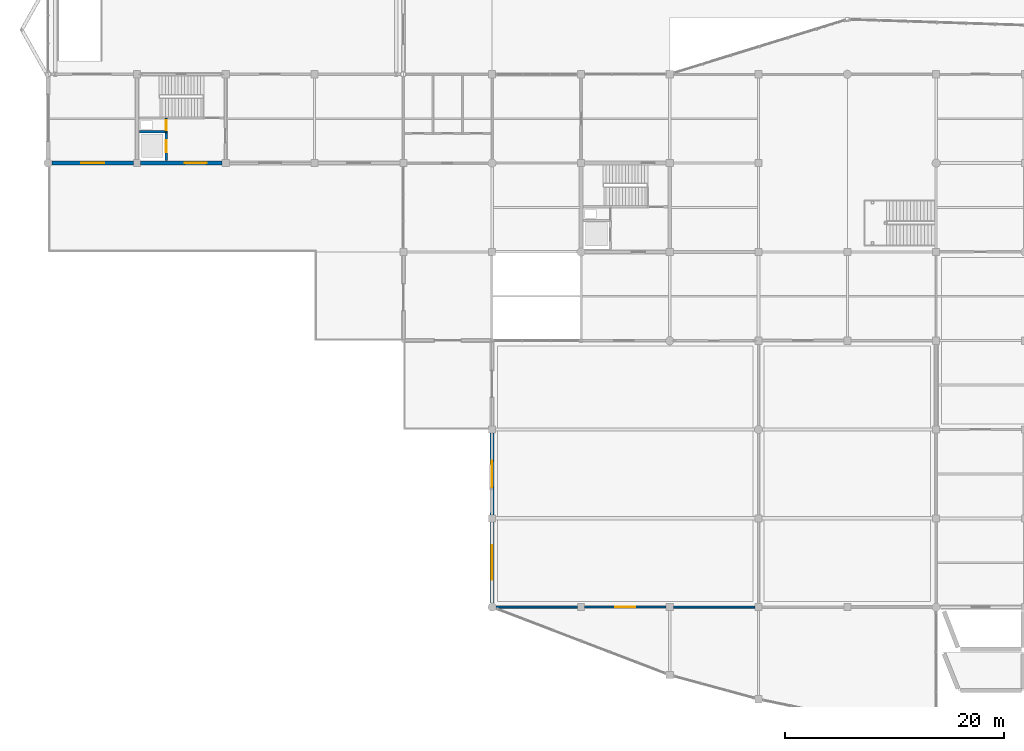
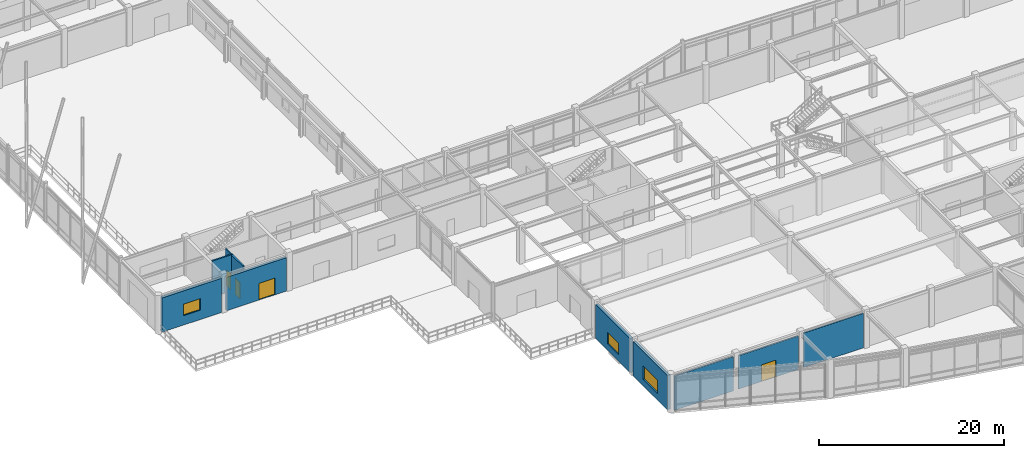
# One storey, part 60 of 99: 10 walls, 4 doors, 3 windows, 7 openings.
"""IFC4 building model written with IfcOpenShell, lengths in metres."""

from ifc_helpers import new_model, si_unit, direction, frame, frame_2d, origin, place, context, subcontext, project, spatial, rectangle, extrude, material, layer, layer_set, type_object, element, fill, save


model = new_model("IFC4")

# Units and contexts
model_context = context("Model", 3, precision=1e-05, world=origin(), true_north=direction((0.0, 1.0)))
body_context = subcontext(model_context, "Body", "Model", "MODEL_VIEW")
ifc_project = project(units=[si_unit("LENGTHUNIT", "METRE"), si_unit("AREAUNIT", "SQUARE_METRE"), si_unit("VOLUMEUNIT", "CUBIC_METRE"), si_unit("PLANEANGLEUNIT", "RADIAN"), si_unit("MASSUNIT", "GRAM", prefix="KILO")], contexts=[model_context])

# Site, building, storey
site_placement = place(None, origin())
site = spatial("IfcSite", under=ifc_project, at=site_placement, CompositionType="ELEMENT")
building_placement = place(site_placement, origin())
building = spatial("IfcBuilding", under=site, at=building_placement, Name="Vaudrelin Polytechnic", CompositionType="ELEMENT")
storey_placement = place(building_placement, origin())
storey = spatial("IfcBuildingStorey", under=building, at=storey_placement, Name="L00", CompositionType="ELEMENT", Elevation=0.0)

# Wall, opening, window
ifc_material_1 = material(Name="Insulated precast concrete sandwich panel 40 MPa", Category="concrete")
ifc_layer_1 = layer(ifc_material_1, 0.340087890625)
ifc_layer_set_1 = layer_set([ifc_layer_1], Name="Insulated precast concrete sandwich panel 40 MPa")
wall_type_1 = type_object("IfcWallType", Name="WAL-EW-IND340", PredefinedType="STANDARD", material=ifc_layer_set_1)
wall_1_placement = place(storey_placement, frame((0.373046875, 40.5, 0.0), z_axis=(0.0, 0.0, 1.0), x_axis=(1.0, 0.0, 0.0)))
wall_1 = element("IfcWall", 1, at=wall_1_placement, inside=storey, type_object=wall_type_1, Name="Exterior wall L00 S_V1_00", PredefinedType="STANDARD", context=body_context, shape_type="SweptSolid", body=[
    extrude(rectangle(XDim=7.404052734375, YDim=0.340087890625, at=frame_2d((3.7021484375, 0.0))), origin(), (0.0, 0.0, 1.0), 4.51611328125),
])
opening_1_placement = place(wall_1_placement, frame((2.652099609375, 0.0, 1.25)))
opening_1 = element("IfcOpeningElement", 2, at=opening_1_placement, cuts=wall_1, Name="Opening W-L00-S-V1-01", PredefinedType="OPENING", context=body_context, shape_type="SweptSolid", body=[
    extrude(rectangle(XDim=2.10009765625, YDim=1.5, at=frame_2d((1.050048828125, 0.75))), frame((0.0, 0.18017578125, 0.0), z_axis=(0.0, -1.0, 0.0), x_axis=(1.0, 0.0, 0.0)), (0.0, 0.0, 1.0), 0.360107421875),
])
ifc_material_2 = material(Name="Thermally broken aluminium frame with triple low-e glazing", Category="aluminium")
window_type_1 = type_object("IfcWindowType", Name="WIN-WN-05", PartitioningType="SINGLE_PANEL", PredefinedType="WINDOW", material=ifc_material_2)
window_1_placement = place(opening_1_placement, origin())
window_1 = element("IfcWindow", 3, at=window_1_placement, inside=storey, type_object=window_type_1, Name="Facade window L00-S_V1_00", OverallHeight=1.5, OverallWidth=2.10009765625, PartitioningType="SINGLE_PANEL", PredefinedType="WINDOW", context=body_context, shape_type="SweptSolid", body=[
    extrude(rectangle(XDim=2.10009765625, YDim=1.5, at=frame_2d((1.050048828125, 0.75))), frame((0.0, 0.030029296875, 0.0), z_axis=(0.0, -1.0, 0.0), x_axis=(1.0, 0.0, 0.0)), (0.0, 0.0, 1.0), 0.06005859375),
])
fill(opening_1, window_1)

# Wall, opening, door
wall_2_placement = place(storey_placement, frame((8.423095703125, 40.5, 0.0), z_axis=(0.0, 0.0, 1.0), x_axis=(1.0, 0.0, 0.0)))
wall_2 = element("IfcWall", 4, at=wall_2_placement, inside=storey, type_object=wall_type_1, Name="Exterior wall L00 S_V1_01", PredefinedType="STANDARD", context=body_context, shape_type="SweptSolid", body=[
    extrude(rectangle(XDim=7.453857421875, YDim=0.340087890625, at=frame_2d((3.72705078125, 0.0))), origin(), (0.0, 0.0, 1.0), 4.406982421875),
])
opening_2_placement = place(wall_2_placement, frame((6.027099609375, 0.0, 0.0), z_axis=(0.0, 0.0, 1.0), x_axis=(-1.0, 0.0, 0.0)))
opening_2 = element("IfcOpeningElement", 5, at=opening_2_placement, cuts=wall_2, Name="Opening ED-00-30", PredefinedType="OPENING", context=body_context, shape_type="SweptSolid", body=[
    extrude(rectangle(XDim=2.0, YDim=2.199951171875, at=frame_2d((1.0, 1.10009765625))), frame((0.0, 0.18017578125, 0.0), z_axis=(0.0, -1.0, 0.0), x_axis=(1.0, 0.0, 0.0)), (0.0, 0.0, 1.0), 0.360107421875),
])
ifc_material_3 = material(Name="Thermally broken anodised aluminium AA 6063-T6", Category="aluminium")
door_type_1 = type_object("IfcDoorType", Name="DOR-ED-02", OperationType="DOUBLE_SWING_LEFT", PredefinedType="DOOR", material=ifc_material_3)
door_1_placement = place(opening_2_placement, origin())
door_1 = element("IfcDoor", 6, at=door_1_placement, inside=storey, type_object=door_type_1, Name="Exterior exit door ED-00-30", OperationType="DOUBLE_SWING_LEFT", OverallHeight=2.199951171875, OverallWidth=2.0, PredefinedType="DOOR", context=body_context, shape_type="SweptSolid", body=[
    extrude(rectangle(XDim=2.0, YDim=2.199951171875, at=frame_2d((1.0, 1.10009765625))), frame((0.0, 0.02490234375, 0.0), z_axis=(0.0, -1.0, 0.0), x_axis=(1.0, 0.0, 0.0)), (0.0, 0.0, 1.0), 0.050048828125),
])
fill(opening_2, door_1)

# Wall, opening, window
ifc_material_4 = material(Name="Architectural ribbed precast concrete 40 MPa", Category="concrete")
ifc_layer_2 = layer(ifc_material_4, 0.3798828125)
ifc_layer_set_2 = layer_set([ifc_layer_2], Name="Architectural ribbed precast concrete 40 MPa")
wall_type_2 = type_object("IfcWallType", Name="WAL-EW-PREC380", PredefinedType="STANDARD", material=ifc_layer_set_2)
wall_3_placement = place(storey_placement, frame((40.5, 0.373046875, 0.0), z_axis=(0.0, 0.0, 1.0), x_axis=(0.0, 1.0, 0.0)))
wall_3 = element("IfcWall", 7, at=wall_3_placement, inside=storey, type_object=wall_type_2, Name="Exterior wall L00 W_V2_00", PredefinedType="STANDARD", context=body_context, shape_type="SweptSolid", body=[
    extrude(rectangle(XDim=7.404052734375, YDim=0.3798828125, at=frame_2d((3.7021484375, 0.0))), origin(), (0.0, 0.0, 1.0), 4.51611328125),
])
opening_3_placement = place(wall_3_placement, frame((2.126953125, 0.0, 0.85009765625)))
opening_3 = element("IfcOpeningElement", 8, at=opening_3_placement, cuts=wall_3, Name="Opening W-L00-W-V2-01", PredefinedType="OPENING", context=body_context, shape_type="SweptSolid", body=[
    extrude(rectangle(XDim=3.14990234375, YDim=1.75, at=frame_2d((1.574951171875, 0.875))), frame((0.0, 0.199951171875, 0.0), z_axis=(0.0, -1.0, 0.0), x_axis=(1.0, 0.0, 0.0)), (0.0, 0.0, 1.0), 0.39990234375),
])
window_type_2 = type_object("IfcWindowType", Name="WIN-WN-20", PartitioningType="SINGLE_PANEL", PredefinedType="WINDOW", material=ifc_material_2)
window_2_placement = place(opening_3_placement, origin())
window_2 = element("IfcWindow", 9, at=window_2_placement, inside=storey, type_object=window_type_2, Name="Facade window L00-W_V2_00", OverallHeight=1.75, OverallWidth=3.14990234375, PartitioningType="SINGLE_PANEL", PredefinedType="WINDOW", context=body_context, shape_type="SweptSolid", body=[
    extrude(rectangle(XDim=3.14990234375, YDim=1.75, at=frame_2d((1.574951171875, 0.875))), frame((0.0, 0.030029296875, 0.0), z_axis=(0.0, -1.0, 0.0), x_axis=(1.0, 0.0, 0.0)), (0.0, 0.0, 1.0), 0.06005859375),
])
fill(opening_3, window_2)

wall_4_placement = place(storey_placement, frame((40.5, 8.423095703125, 0.0), z_axis=(0.0, 0.0, 1.0), x_axis=(0.0, 1.0, 0.0)))
wall_4 = element("IfcWall", 10, at=wall_4_placement, inside=storey, type_object=wall_type_2, Name="Exterior wall L00 W_V2_01", PredefinedType="STANDARD", context=body_context, shape_type="SweptSolid", body=[
    extrude(rectangle(XDim=7.453857421875, YDim=0.3798828125, at=frame_2d((3.72705078125, 0.0))), origin(), (0.0, 0.0, 1.0), 4.5048828125),
])
opening_4_placement = place(wall_4_placement, frame((2.527099609375, 0.0, 0.85009765625)))
opening_4 = element("IfcOpeningElement", 11, at=opening_4_placement, cuts=wall_4, Name="Opening W-L00-W-V2-02", PredefinedType="OPENING", context=body_context, shape_type="SweptSolid", body=[
    extrude(rectangle(XDim=2.39990234375, YDim=1.550048828125, at=frame_2d((1.199951171875, 0.77490234375))), frame((0.0, 0.199951171875, 0.0), z_axis=(0.0, -1.0, 0.0), x_axis=(1.0, 0.0, 0.0)), (0.0, 0.0, 1.0), 0.39990234375),
])
window_type_3 = type_object("IfcWindowType", Name="WIN-WN-21", PartitioningType="SINGLE_PANEL", PredefinedType="WINDOW", material=ifc_material_2)
window_3_placement = place(opening_4_placement, origin())
window_3 = element("IfcWindow", 12, at=window_3_placement, inside=storey, type_object=window_type_3, Name="Facade window L00-W_V2_01", OverallHeight=1.550048828125, OverallWidth=2.39990234375, PartitioningType="SINGLE_PANEL", PredefinedType="WINDOW", context=body_context, shape_type="SweptSolid", body=[
    extrude(rectangle(XDim=2.39990234375, YDim=1.550048828125, at=frame_2d((1.199951171875, 0.77490234375))), frame((0.0, 0.030029296875, 0.0), z_axis=(0.0, -1.0, 0.0), x_axis=(1.0, 0.0, 0.0)), (0.0, 0.0, 1.0), 0.06005859375),
])
fill(opening_4, window_3)

# Wall
ifc_material_5 = material(Name="Acoustic double-stud gypsum & mineral-wool partition", Category="gypsum")
ifc_layer_3 = layer(ifc_material_5, 0.179931640625)
ifc_layer_set_3 = layer_set([ifc_layer_3], Name="Acoustic double-stud gypsum & mineral-wool partition")
wall_type_3 = type_object("IfcWallType", Name="WAL-PW-AC180", PredefinedType="PARTITIONING", material=ifc_layer_set_3)
wall_5_placement = place(storey_placement, frame((40.873046875, 0.0, 0.0), z_axis=(0.0, 0.0, 1.0), x_axis=(1.0, 0.0, 0.0)))
element("IfcWall", 13, at=wall_5_placement, inside=storey, type_object=wall_type_3, Name="Partition L00-008 S", PredefinedType="PARTITIONING", context=body_context, shape_type="SweptSolid", body=[
    extrude(rectangle(XDim=7.404052734375, YDim=0.179931640625, at=frame_2d((3.7021484375, 0.0))), origin(), (0.0, 0.0, 1.0), 4.51611328125),
])

# Wall, opening, door
wall_6_placement = place(storey_placement, frame((48.923095703125, 0.0, 0.0), z_axis=(0.0, 0.0, 1.0), x_axis=(1.0, 0.0, 0.0)))
wall_6 = element("IfcWall", 14, at=wall_6_placement, inside=storey, type_object=wall_type_3, Name="Partition L00-008 S", PredefinedType="PARTITIONING", context=body_context, shape_type="SweptSolid", body=[
    extrude(rectangle(XDim=7.453857421875, YDim=0.179931640625, at=frame_2d((3.72705078125, 0.0))), origin(), (0.0, 0.0, 1.0), 4.406982421875),
])
opening_5_placement = place(wall_6_placement, frame((2.826904296875, 0.0, 0.0)))
opening_5 = element("IfcOpeningElement", 15, at=opening_5_placement, cuts=wall_6, Name="Opening D-L00-596", PredefinedType="OPENING", context=body_context, shape_type="SweptSolid", body=[
    extrude(rectangle(XDim=1.800048828125, YDim=2.199951171875, at=frame_2d((0.89990234375, 1.10009765625))), frame((0.0, 0.10009765625, 0.0), z_axis=(0.0, -1.0, 0.0), x_axis=(1.0, 0.0, 0.0)), (0.0, 0.0, 1.0), 0.199951171875),
])
ifc_material_6 = material(Name="Pressed galvanised steel acoustic leaf", Category="steel")
door_type_2 = type_object("IfcDoorType", Name="DOR-ID-DBL1", OperationType="NOTDEFINED", PredefinedType="DOOR", material=ifc_material_6)
door_2_placement = place(opening_5_placement, origin())
door_2 = element("IfcDoor", 16, at=door_2_placement, inside=storey, type_object=door_type_2, Name="Auditorium stage prow door L00", OperationType="DOUBLE_SWING_LEFT", OverallHeight=2.199951171875, OverallWidth=1.800048828125, PredefinedType="DOOR", context=body_context, shape_type="SweptSolid", body=[
    extrude(rectangle(XDim=1.800048828125, YDim=2.199951171875, at=frame_2d((0.89990234375, 1.10009765625))), frame((0.0, 0.02490234375, 0.0), z_axis=(0.0, -1.0, 0.0), x_axis=(1.0, 0.0, 0.0)), (0.0, 0.0, 1.0), 0.050048828125),
])
fill(opening_5, door_2)

# Wall
wall_7_placement = place(storey_placement, frame((57.02294921875, 0.0, 0.0), z_axis=(0.0, 0.0, 1.0), x_axis=(1.0, 0.0, 0.0)))
element("IfcWall", 17, at=wall_7_placement, inside=storey, type_object=wall_type_3, Name="Partition L00-008 S", PredefinedType="PARTITIONING", context=body_context, shape_type="SweptSolid", body=[
    extrude(rectangle(XDim=7.4541015625, YDim=0.179931640625, at=frame_2d((3.72705078125, 0.0))), origin(), (0.0, 0.0, 1.0), 4.555908203125),
])

# Wall, opening, door
ifc_material_7 = material(Name="Fire-rated steel-stud gypsum compartment wall", Category="steel")
ifc_layer_4 = layer(ifc_material_7, 0.14990234375)
ifc_layer_set_4 = layer_set([ifc_layer_4], Name="Fire-rated steel-stud gypsum compartment wall")
wall_type_4 = type_object("IfcWallType", Name="WAL-PW-FIRE60", PredefinedType="PARTITIONING", material=ifc_layer_set_4)
wall_8_placement = place(storey_placement, frame((10.780029296875, 43.35009765625, 0.0), z_axis=(0.0, 0.0, 1.0), x_axis=(0.0, 1.0, 0.0)))
wall_8 = element("IfcWall", 18, at=wall_8_placement, inside=storey, type_object=wall_type_4, Name="Core C3 riser enclosure wall L00", PredefinedType="PARTITIONING", context=body_context, shape_type="SweptSolid", body=[
    extrude(rectangle(XDim=1.260009765625, YDim=0.14990234375, at=frame_2d((0.6298828125, 0.0))), origin(), (0.0, 0.0, 1.0), 4.822021484375),
])
opening_6_placement = place(wall_8_placement, frame((0.139892578125, 0.0, 0.0)))
opening_6 = element("IfcOpeningElement", 19, at=opening_6_placement, cuts=wall_8, Name="Opening D-L00-051", PredefinedType="OPENING", context=body_context, shape_type="SweptSolid", body=[
    extrude(rectangle(XDim=0.89990234375, YDim=2.14990234375, at=frame_2d((0.449951171875, 1.074951171875))), frame((0.0, 0.0849609375, 0.0), z_axis=(0.0, -1.0, 0.0), x_axis=(1.0, 0.0, 0.0)), (0.0, 0.0, 1.0), 0.169921875),
])
door_type_3 = type_object("IfcDoorType", Name="DOR-ID-RSR1", OperationType="NOTDEFINED", PredefinedType="DOOR", material=ifc_material_6)
door_3_placement = place(opening_6_placement, origin())
door_3 = element("IfcDoor", 20, at=door_3_placement, inside=storey, type_object=door_type_3, Name="Core C3 riser access door L00", OperationType="SINGLE_SWING_RIGHT", OverallHeight=2.14990234375, OverallWidth=0.89990234375, PredefinedType="DOOR", context=body_context, shape_type="SweptSolid", body=[
    extrude(rectangle(XDim=0.89990234375, YDim=2.14990234375, at=frame_2d((0.449951171875, 1.074951171875))), frame((0.0, 0.02490234375, 0.0), z_axis=(0.0, -1.0, 0.0), x_axis=(1.0, 0.0, 0.0)), (0.0, 0.0, 1.0), 0.050048828125),
])
fill(opening_6, door_3)

ifc_material_8 = material(Name="Concrete 40 MPa", Category="concrete")
ifc_layer_5 = layer(ifc_material_8, 0.199951171875)
ifc_layer_set_5 = layer_set([ifc_layer_5], Name="Concrete 40 MPa")
wall_type_5 = type_object("IfcWallType", Name="WAL-SW-CORE200", PredefinedType="SHEAR", material=ifc_layer_set_5)
wall_9_placement = place(storey_placement, frame((10.780029296875, 40.75, 0.0), z_axis=(0.0, 0.0, 1.0), x_axis=(0.0, 1.0, 0.0)))
wall_9 = element("IfcWall", 21, at=wall_9_placement, inside=storey, type_object=wall_type_5, Name="Lift LF-03 shaft front wall L00", PredefinedType="SHEAR", context=body_context, shape_type="SweptSolid", body=[
    extrude(rectangle(XDim=2.60009765625, YDim=0.199951171875, at=frame_2d((1.300048828125, 0.0))), origin(), (0.0, 0.0, 1.0), 4.822021484375),
])
opening_7_placement = place(wall_9_placement, frame((0.75, 0.0, 0.0)))
opening_7 = element("IfcOpeningElement", 22, at=opening_7_placement, cuts=wall_9, Name="Opening LD-LF-03-L00", PredefinedType="OPENING", context=body_context, shape_type="SweptSolid", body=[
    extrude(rectangle(XDim=1.10009765625, YDim=2.199951171875, at=frame_2d((0.550048828125, 1.10009765625))), frame((0.0, 0.10986328125, 0.0), z_axis=(0.0, -1.0, 0.0), x_axis=(1.0, 0.0, 0.0)), (0.0, 0.0, 1.0), 0.219970703125),
])
ifc_material_9 = material(Name="Brushed stainless steel AISI 304", Category="steel")
door_type_4 = type_object("IfcDoorType", Name="DOR-LD-PAX", OperationType="SLIDING_TO_LEFT", PredefinedType="DOOR", material=ifc_material_9)
door_4_placement = place(opening_7_placement, origin())
door_4 = element("IfcDoor", 23, at=door_4_placement, inside=storey, type_object=door_type_4, Name="Lift LF-03 landing door L00", OperationType="SLIDING_TO_LEFT", OverallHeight=2.199951171875, OverallWidth=1.10009765625, PredefinedType="DOOR", context=body_context, shape_type="SweptSolid", body=[
    extrude(rectangle(XDim=1.10009765625, YDim=2.199951171875, at=frame_2d((0.550048828125, 1.10009765625))), frame((0.0, 0.02490234375, 0.0), z_axis=(0.0, -1.0, 0.0), x_axis=(1.0, 0.0, 0.0)), (0.0, 0.0, 1.0), 0.050048828125),
])
fill(opening_7, door_4)

# Wall
wall_10_placement = place(storey_placement, frame((8.320068359375, 43.35009765625, 0.0), z_axis=(0.0, 0.0, 1.0), x_axis=(1.0, 0.0, 0.0)))
element("IfcWall", 24, at=wall_10_placement, inside=storey, type_object=wall_type_5, Name="Lift LF-03 shaft north wall L00", PredefinedType="SHEAR", context=body_context, shape_type="SweptSolid", body=[
    extrude(rectangle(XDim=2.559814453125, YDim=0.199951171875, at=frame_2d((1.27978515625, 0.0))), origin(), (0.0, 0.0, 1.0), 4.822021484375),
])

save(model, "model.ifc")
